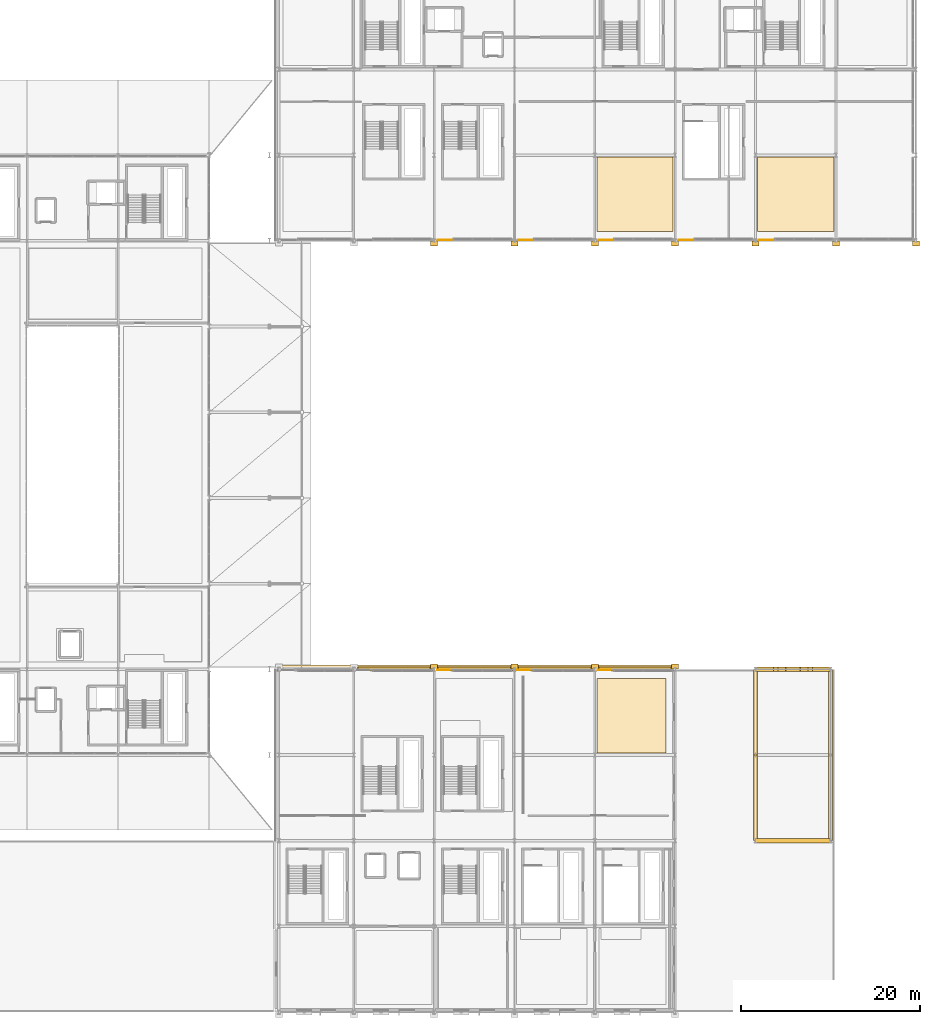
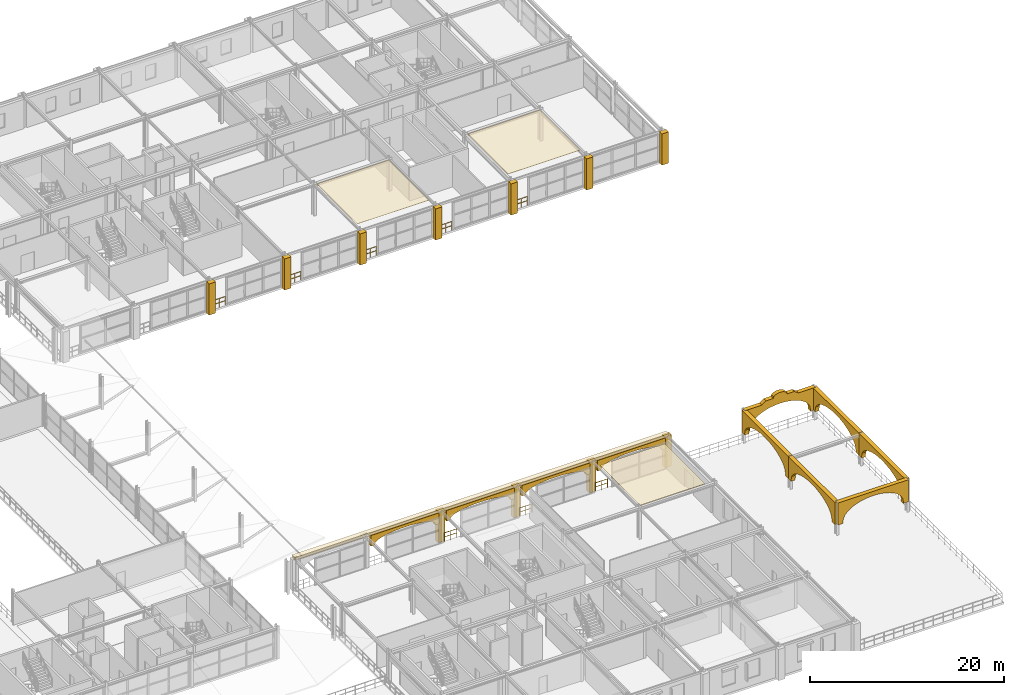
# One storey, part 78 of 81: 25 coverings, 8 railings.
"""IFC4 building model written with IfcOpenShell, lengths in metres."""

from ifc_helpers import new_model, si_unit, direction, frame, origin, origin_2d, place, context, subcontext, project, spatial, polyline, rectangle, outline, extrude, material, layer, layer_set, type_object, element, save


model = new_model("IFC4")

# Units and contexts
model_context = context("Model", 3, precision=1e-05, world=origin(), true_north=direction((0.0, 1.0)))
body_context = subcontext(model_context, "Body", "Model", "MODEL_VIEW")
ifc_project = project(units=[si_unit("LENGTHUNIT", "METRE"), si_unit("AREAUNIT", "SQUARE_METRE"), si_unit("VOLUMEUNIT", "CUBIC_METRE"), si_unit("PLANEANGLEUNIT", "RADIAN"), si_unit("MASSUNIT", "GRAM", prefix="KILO")], contexts=[model_context])

# Site, building, storey
site_placement = place(None, origin())
site = spatial("IfcSite", under=ifc_project, at=site_placement, CompositionType="ELEMENT")
building_placement = place(site_placement, origin())
building = spatial("IfcBuilding", under=site, at=building_placement, Name="Myrtia Square Station", CompositionType="ELEMENT")
storey_placement = place(building_placement, frame((0.0, 0.0, 10.800048828125)))
storey = spatial("IfcBuildingStorey", under=building, at=storey_placement, Name="L02", CompositionType="ELEMENT", Elevation=10.800048828125)

# Coverings
ifc_material_1 = material(Name="Pentelic marble ashlar", Category="masonry")
ifc_layer_1 = layer(ifc_material_1, 0.4599609375, Name="Pentelic marble ashlar")
ifc_layer_set_1 = layer_set([ifc_layer_1], Name="Pentelic marble ashlar")
covering_type_1 = type_object("IfcCoveringType", Name="COV-ARCH-ASHLAR", PredefinedType="CLADDING", material=ifc_layer_set_1)
covering_1_placement = place(storey_placement, frame((171.0, 19.199951171875, 1.300048828125), z_axis=(0.0, 0.0, 1.0), x_axis=(0.0, 1.0, 0.0)))
element("IfcCovering", 1, at=covering_1_placement, inside=storey, type_object=covering_type_1, Name="Belvedere west loggia arch 042", PredefinedType="CLADDING", context=body_context, shape_type="SweptSolid", body=[
    extrude(outline(polyline([(0.0, 0.0), (0.60009765625, 0.0), (0.60009765625, 0.25), (0.6806640625, 0.64013671875), (0.919677734375, 1.015380859375), (1.307861328125, 1.361083984375), (1.830078125, 1.6640625), (2.466552734375, 1.912841796875), (3.19287109375, 2.09765625), (3.980712890625, 2.21142578125), (4.800048828125, 2.25), (5.619384765625, 2.21142578125), (6.4072265625, 2.09765625), (7.133544921875, 1.912841796875), (7.77001953125, 1.6640625), (8.292236328125, 1.361083984375), (8.680419921875, 1.015380859375), (8.91943359375, 0.64013671875), (9.0, 0.25), (9.0, 0.0), (9.60009765625, 0.0), (9.60009765625, 2.77978515625), (0.0, 2.77978515625), (0.0, 0.0)])), frame((0.0, 0.239990234375, 0.0), z_axis=(0.0, -1.0, 0.0), x_axis=(1.0, 0.0, 0.0)), (0.0, 0.0, 1.0), 0.47998046875),
])
covering_2_placement = place(storey_placement, frame((171.0, 28.800048828125, 1.300048828125), z_axis=(0.0, 0.0, 1.0), x_axis=(0.0, 1.0, 0.0)))
element("IfcCovering", 2, at=covering_2_placement, inside=storey, type_object=covering_type_1, Name="Belvedere west loggia arch 043", PredefinedType="CLADDING", context=body_context, shape_type="SweptSolid", body=[
    extrude(outline(polyline([(0.0, 0.0), (0.60009765625, 0.0), (0.60009765625, 0.25), (0.6806640625, 0.64013671875), (0.919677734375, 1.015380859375), (1.307861328125, 1.361083984375), (1.830078125, 1.6640625), (2.466552734375, 1.912841796875), (3.192626953125, 2.09765625), (3.98046875, 2.21142578125), (4.7998046875, 2.25), (5.619384765625, 2.21142578125), (6.4072265625, 2.09765625), (7.13330078125, 1.912841796875), (7.769775390625, 1.6640625), (8.2919921875, 1.361083984375), (8.68017578125, 1.015380859375), (8.919189453125, 0.64013671875), (8.999755859375, 0.25), (8.999755859375, 0.0), (9.599853515625, 0.0), (9.599853515625, 2.77978515625), (0.0, 2.77978515625), (0.0, 0.0)])), frame((0.0, 0.239990234375, 0.0), z_axis=(0.0, -1.0, 0.0), x_axis=(1.0, 0.0, 0.0)), (0.0, 0.0, 1.0), 0.47998046875),
])
covering_3_placement = place(storey_placement, frame((179.39990234375, 19.199951171875, 1.300048828125), z_axis=(0.0, 0.0, 1.0), x_axis=(0.0, 1.0, 0.0)))
element("IfcCovering", 3, at=covering_3_placement, inside=storey, type_object=covering_type_1, Name="Belvedere east loggia arch 044", PredefinedType="CLADDING", context=body_context, shape_type="SweptSolid", body=[
    extrude(outline(polyline([(0.0, 0.0), (0.60009765625, 0.0), (0.60009765625, 0.25), (0.6806640625, 0.64013671875), (0.919677734375, 1.015380859375), (1.307861328125, 1.361083984375), (1.830078125, 1.6640625), (2.466552734375, 1.912841796875), (3.19287109375, 2.09765625), (3.980712890625, 2.21142578125), (4.800048828125, 2.25), (5.619384765625, 2.21142578125), (6.4072265625, 2.09765625), (7.133544921875, 1.912841796875), (7.77001953125, 1.6640625), (8.292236328125, 1.361083984375), (8.680419921875, 1.015380859375), (8.91943359375, 0.64013671875), (9.0, 0.25), (9.0, 0.0), (9.60009765625, 0.0), (9.60009765625, 2.77978515625), (0.0, 2.77978515625), (0.0, 0.0)])), frame((0.0, 0.239990234375, 0.0), z_axis=(0.0, -1.0, 0.0), x_axis=(1.0, 0.0, 0.0)), (0.0, 0.0, 1.0), 0.47998046875),
])
covering_4_placement = place(storey_placement, frame((179.39990234375, 28.800048828125, 1.300048828125), z_axis=(0.0, 0.0, 1.0), x_axis=(0.0, 1.0, 0.0)))
element("IfcCovering", 4, at=covering_4_placement, inside=storey, type_object=covering_type_1, Name="Belvedere east loggia arch 045", PredefinedType="CLADDING", context=body_context, shape_type="SweptSolid", body=[
    extrude(outline(polyline([(0.0, 0.0), (0.60009765625, 0.0), (0.60009765625, 0.25), (0.6806640625, 0.64013671875), (0.919677734375, 1.015380859375), (1.307861328125, 1.361083984375), (1.830078125, 1.6640625), (2.466552734375, 1.912841796875), (3.192626953125, 2.09765625), (3.98046875, 2.21142578125), (4.7998046875, 2.25), (5.619384765625, 2.21142578125), (6.4072265625, 2.09765625), (7.13330078125, 1.912841796875), (7.769775390625, 1.6640625), (8.2919921875, 1.361083984375), (8.68017578125, 1.015380859375), (8.919189453125, 0.64013671875), (8.999755859375, 0.25), (8.999755859375, 0.0), (9.599853515625, 0.0), (9.599853515625, 2.77978515625), (0.0, 2.77978515625), (0.0, 0.0)])), frame((0.0, 0.239990234375, 0.0), z_axis=(0.0, -1.0, 0.0), x_axis=(1.0, 0.0, 0.0)), (0.0, 0.0, 1.0), 0.47998046875),
])
covering_5_placement = place(storey_placement, frame((171.0, 38.39990234375, 1.300048828125), z_axis=(0.0, 0.0, 1.0), x_axis=(1.0, 0.0, 0.0)))
element("IfcCovering", 5, at=covering_5_placement, inside=storey, type_object=covering_type_1, Name="Belvedere square front arch 046", PredefinedType="CLADDING", context=body_context, shape_type="SweptSolid", body=[
    extrude(outline(polyline([(0.0, 0.0), (0.60009765625, 0.0), (0.60009765625, 0.25), (0.669189453125, 0.64013671875), (0.8740234375, 1.015380859375), (1.206787109375, 1.361083984375), (1.654296875, 1.6640625), (2.199951171875, 1.912841796875), (2.822265625, 2.09765625), (3.49755859375, 2.21142578125), (4.199951171875, 2.25), (4.90234375, 2.21142578125), (5.57763671875, 2.09765625), (6.199951171875, 1.912841796875), (6.74560546875, 1.6640625), (7.193115234375, 1.361083984375), (7.52587890625, 1.015380859375), (7.730712890625, 0.64013671875), (7.7998046875, 0.25), (7.7998046875, 0.0), (8.39990234375, 0.0), (8.39990234375, 2.77978515625), (6.384033203125, 2.77978515625), (5.8798828125, 3.13671875), (5.0400390625, 3.13671875), (4.97607421875, 3.325439453125), (4.7939453125, 3.4853515625), (4.521484375, 3.59228515625), (4.199951171875, 3.6298828125), (3.87841796875, 3.59228515625), (3.60595703125, 3.4853515625), (3.423828125, 3.325439453125), (3.35986328125, 3.13671875), (2.52001953125, 3.13671875), (2.015869140625, 2.77978515625), (0.0, 2.77978515625), (0.0, 0.0)])), frame((0.0, 0.239990234375, 0.0), z_axis=(0.0, -1.0, 0.0), x_axis=(1.0, 0.0, 0.0)), (0.0, 0.0, 1.0), 0.47998046875),
])
covering_6_placement = place(storey_placement, frame((171.0, 19.199951171875, 1.300048828125), z_axis=(0.0, 0.0, 1.0), x_axis=(1.0, 0.0, 0.0)))
element("IfcCovering", 6, at=covering_6_placement, inside=storey, type_object=covering_type_1, Name="Belvedere garden front arch 047", PredefinedType="CLADDING", context=body_context, shape_type="SweptSolid", body=[
    extrude(outline(polyline([(0.0, 0.0), (0.60009765625, 0.0), (0.60009765625, 0.25), (0.669189453125, 0.64013671875), (0.8740234375, 1.015380859375), (1.206787109375, 1.361083984375), (1.654296875, 1.6640625), (2.199951171875, 1.912841796875), (2.822265625, 2.09765625), (3.49755859375, 2.21142578125), (4.199951171875, 2.25), (4.90234375, 2.21142578125), (5.57763671875, 2.09765625), (6.199951171875, 1.912841796875), (6.74560546875, 1.6640625), (7.193115234375, 1.361083984375), (7.52587890625, 1.015380859375), (7.730712890625, 0.64013671875), (7.7998046875, 0.25), (7.7998046875, 0.0), (8.39990234375, 0.0), (8.39990234375, 2.77978515625), (0.0, 2.77978515625), (0.0, 0.0)])), frame((0.0, 0.239990234375, 0.0), z_axis=(0.0, -1.0, 0.0), x_axis=(1.0, 0.0, 0.0)), (0.0, 0.0, 1.0), 0.47998046875),
])
for number, where, z_axis, x_axis, name in (
    (7, (135.0, 38.719970703125, -0.0400390625), (0.0, 0.0, 1.0), (1.0, 0.0, 0.0), "Classical Pentelic ashlar pilaster 021"),
    (8, (144.0, 38.719970703125, -0.0400390625), (0.0, 0.0, 1.0), (1.0, 0.0, 0.0), "Classical Pentelic ashlar pilaster 029"),
    (9, (153.0, 38.719970703125, -0.0400390625), (0.0, 0.0, 1.0), (1.0, 0.0, 0.0), "Classical Pentelic ashlar pilaster 037"),
    (10, (162.0, 38.719970703125, -0.0400390625), (0.0, 0.0, 1.0), (1.0, 0.0, 0.0), "Classical Pentelic ashlar pilaster 043"),
):
    element("IfcCovering", number, at=place(storey_placement, frame(where, z_axis=z_axis, x_axis=x_axis)), inside=storey, type_object=covering_type_1, Name=name, PredefinedType="CLADDING", context=body_context, shape_type="SweptSolid", body=[
        extrude(rectangle(XDim=0.780029296875, YDim=0.56005859375, at=origin_2d()), origin(), (0.0, 0.0, 1.0), 3.93994140625),
    ])
for number, where, z_axis, x_axis, name in (
    (11, (126.449951171875, 38.449951171875, 2.550048828125), (0.0, 0.0, 1.0), (1.0, 0.0, 0.0), "V4 upper square loggia arch 074"),
    (12, (135.449951171875, 38.449951171875, 2.550048828125), (0.0, 0.0, 1.0), (1.0, 0.0, 0.0), "V4 upper square loggia arch 075"),
    (13, (144.449951171875, 38.449951171875, 2.550048828125), (0.0, 0.0, 1.0), (1.0, 0.0, 0.0), "V4 upper square loggia arch 076"),
    (14, (153.449951171875, 38.449951171875, 2.550048828125), (0.0, 0.0, 1.0), (1.0, 0.0, 0.0), "V4 upper square loggia arch 077"),
):
    element("IfcCovering", number, at=place(storey_placement, frame(where, z_axis=z_axis, x_axis=x_axis)), inside=storey, type_object=covering_type_1, Name=name, PredefinedType="CLADDING", context=body_context, shape_type="SweptSolid", body=[
        extrude(outline(polyline([(0.0, 0.0), (0.449951171875, 0.0), (0.449951171875, 0.14990234375), (0.519287109375, 0.315673828125), (0.72412109375, 0.47509765625), (1.056640625, 0.6220703125), (1.50439453125, 0.7509765625), (2.050048828125, 0.856689453125), (2.67236328125, 0.935302734375), (3.34765625, 0.983642578125), (4.050048828125, 1.0), (4.75244140625, 0.983642578125), (5.427734375, 0.935302734375), (6.050048828125, 0.856689453125), (6.595703125, 0.7509765625), (7.04345703125, 0.6220703125), (7.3759765625, 0.47509765625), (7.580810546875, 0.315673828125), (7.650146484375, 0.14990234375), (7.650146484375, 0.0), (8.10009765625, 0.0), (8.10009765625, 1.349853515625), (0.0, 1.349853515625), (0.0, 0.0)])), frame((0.0, 0.219970703125, 0.0), z_axis=(0.0, -1.0, 0.0), x_axis=(1.0, 0.0, 0.0)), (0.0, 0.0, 1.0), 0.43994140625),
    ])
for number, where, z_axis, x_axis, name in (
    (15, (135.0, 86.080078125, -0.0400390625), (0.0, 0.0, 1.0), (1.0, 0.0, 0.0), "Classical Pentelic ashlar pilaster 070"),
    (16, (144.0, 86.080078125, -0.0400390625), (0.0, 0.0, 1.0), (1.0, 0.0, 0.0), "Classical Pentelic ashlar pilaster 079"),
    (17, (153.0, 86.080078125, -0.0400390625), (0.0, 0.0, 1.0), (1.0, 0.0, 0.0), "Classical Pentelic ashlar pilaster 088"),
    (18, (162.0, 86.080078125, -0.0400390625), (0.0, 0.0, 1.0), (1.0, 0.0, 0.0), "Classical Pentelic ashlar pilaster 097"),
    (19, (171.0, 86.080078125, -0.0400390625), (0.0, 0.0, 1.0), (1.0, 0.0, 0.0), "Classical Pentelic ashlar pilaster 107"),
    (20, (180.0, 86.080078125, -0.0400390625), (0.0, 0.0, 1.0), (1.0, 0.0, 0.0), "Classical Pentelic ashlar pilaster 117"),
    (21, (189.0, 86.080078125, -0.0400390625), (0.0, 0.0, 1.0), (1.0, 0.0, 0.0), "Classical Pentelic ashlar pilaster 126"),
):
    element("IfcCovering", number, at=place(storey_placement, frame(where, z_axis=z_axis, x_axis=x_axis)), inside=storey, type_object=covering_type_1, Name=name, PredefinedType="CLADDING", context=body_context, shape_type="SweptSolid", body=[
        extrude(rectangle(XDim=0.780029296875, YDim=0.56005859375, at=origin_2d()), origin(), (0.0, 0.0, 1.0), 3.93994140625),
    ])
ifc_material_2 = material(Name="Gypsum plasterboard")
ifc_layer_2 = layer(ifc_material_2, 0.034912109375, Name="Gypsum plasterboard")
ifc_layer_set_2 = layer_set([ifc_layer_2], Name="Gypsum plasterboard")
covering_type_2 = type_object("IfcCoveringType", Name="COV-CEIL-ACOUSTIC", PredefinedType="CEILING", material=ifc_layer_set_2)
covering_7_placement = place(storey_placement, frame((0.0, 0.0, 3.925048828125)))
element("IfcCovering", 22, at=covering_7_placement, inside=storey, type_object=covering_type_2, Name="Acoustic coffer ceiling L02-12", PredefinedType="CEILING", context=body_context, shape_type="SweptSolid", body=[
    extrude(outline(polyline([(153.219970703125, 87.449951171875), (153.219970703125, 95.780029296875), (161.780029296875, 95.780029296875), (161.780029296875, 87.449951171875), (153.219970703125, 87.449951171875)])), origin(), (0.0, 0.0, 1.0), 0.034912109375),
])
ifc_material_3 = material(Name="Acoustic European oak timber", Category="wood")
ifc_layer_3 = layer(ifc_material_3, 0.044921875, Name="Acoustic European oak timber")
ifc_layer_set_3 = layer_set([ifc_layer_3], Name="Acoustic European oak timber")
covering_type_3 = type_object("IfcCoveringType", Name="COV-CEIL-OAK", PredefinedType="CEILING", material=ifc_layer_set_3)
covering_8_placement = place(storey_placement, frame((0.0, 0.0, 3.889892578125)))
element("IfcCovering", 23, at=covering_8_placement, inside=storey, type_object=covering_type_3, Name="Acoustic coffer ceiling L02-07", PredefinedType="CEILING", context=body_context, shape_type="SweptSolid", body=[
    extrude(outline(polyline([(160.949951171875, 37.35009765625), (160.949951171875, 29.02001953125), (153.219970703125, 29.02001953125), (153.219970703125, 37.35009765625), (160.949951171875, 37.35009765625)])), origin(), (0.0, 0.0, 1.0), 0.045166015625),
])
covering_9_placement = place(storey_placement, frame((0.0, 0.0, 3.9150390625)))
element("IfcCovering", 24, at=covering_9_placement, inside=storey, type_object=covering_type_3, Name="Acoustic coffer ceiling L02-13", PredefinedType="CEILING", context=body_context, shape_type="SweptSolid", body=[
    extrude(outline(polyline([(171.219970703125, 87.449951171875), (171.219970703125, 95.780029296875), (179.780029296875, 95.780029296875), (179.780029296875, 87.449951171875), (171.219970703125, 87.449951171875)])), origin(), (0.0, 0.0, 1.0), 0.044921875),
])
ifc_layer_4 = layer(ifc_material_1, 0.47998046875, Name="Pentelic marble ashlar")
ifc_layer_set_4 = layer_set([ifc_layer_4], Name="Pentelic marble ashlar")
covering_type_4 = type_object("IfcCoveringType", Name="COV-CORNICE-ASHLAR", PredefinedType="MOLDING", material=ifc_layer_set_4)
covering_10_placement = place(storey_placement, frame((139.699951171875, 38.570068359375, 3.89990234375), z_axis=(0.0, 0.0, 1.0), x_axis=(1.0, 0.0, 0.0)))
element("IfcCovering", 25, at=covering_10_placement, inside=storey, type_object=covering_type_4, Name="Classical entablature cornice moulding 005", PredefinedType="MOLDING", context=body_context, shape_type="SweptSolid", body=[
    extrude(rectangle(XDim=44.60009765625, YDim=0.580078125, at=origin_2d()), origin(), (0.0, 0.0, 1.0), 0.360107421875),
])

# Railings
ifc_material_4 = material(Name="Wrought iron", Category="steel")
railing_type = type_object("IfcRailingType", Name="RL-INT-GUARD-1100", PredefinedType="BALUSTRADE", material=ifc_material_4)
for number, where, name in (
    (26, (154.699951171875, 38.320068359375, 0.0), "Perimeter slab edge balustrade L02-043"),
    (27, (145.699951171875, 38.320068359375, 0.0), "Perimeter slab edge balustrade L02-044"),
    (28, (136.699951171875, 38.320068359375, 0.0), "Perimeter slab edge balustrade L02-045"),
):
    element("IfcRailing", number, at=place(storey_placement, frame(where)), inside=storey, type_object=railing_type, Name=name, PredefinedType="BALUSTRADE", context=body_context, shape_type="SweptSolid", body=[
        extrude(rectangle(XDim=0.048095703125, YDim=0.048095703125, at=origin_2d()), frame((-0.03466796875, 0.0, 1.09619140625), z_axis=(-1.0, 0.0, 0.0), x_axis=(0.0, -1.0, 0.0)), (0.0, 0.0, 1.0), 0.6806640625),
        extrude(rectangle(XDim=0.048095703125, YDim=0.048095703125, at=origin_2d()), frame((-0.03466796875, 0.0, 0.58251953125), z_axis=(-1.0, 0.0, 0.0), x_axis=(0.0, -1.0, 0.0)), (0.0, 0.0, 1.0), 0.6806640625),
        extrude(rectangle(XDim=0.048095703125, YDim=0.048095703125, at=origin_2d()), frame((-0.78466796875, 0.0, 1.09619140625), z_axis=(-1.0, 0.0, 0.0), x_axis=(0.0, -1.0, 0.0)), (0.0, 0.0, 1.0), 0.6806640625),
        extrude(rectangle(XDim=0.048095703125, YDim=0.048095703125, at=origin_2d()), frame((-0.78466796875, 0.0, 0.58251953125), z_axis=(-1.0, 0.0, 0.0), x_axis=(0.0, -1.0, 0.0)), (0.0, 0.0, 1.0), 0.6806640625),
        extrude(rectangle(XDim=0.0439453125, YDim=0.0439453125, at=origin_2d()), origin(), (0.0, 0.0, 1.0), 1.1201171875),
        extrude(rectangle(XDim=0.0439453125, YDim=0.0439453125, at=origin_2d()), frame((-0.75, 0.0, 0.0)), (0.0, 0.0, 1.0), 1.1201171875),
        extrude(rectangle(XDim=0.0439453125, YDim=0.0439453125, at=origin_2d()), frame((-1.5, 0.0, 0.0)), (0.0, 0.0, 1.0), 1.1201171875),
    ])
for number, where, name in (
    (29, (135.449951171875, 86.47998046875, 0.0), "Perimeter slab edge balustrade L02-052"),
    (30, (144.449951171875, 86.47998046875, 0.0), "Perimeter slab edge balustrade L02-053"),
    (31, (153.449951171875, 86.47998046875, 0.0), "Perimeter slab edge balustrade L02-054"),
    (32, (162.449951171875, 86.47998046875, 0.0), "Perimeter slab edge balustrade L02-055"),
    (33, (171.449951171875, 86.47998046875, 0.0), "Perimeter slab edge balustrade L02-056"),
):
    element("IfcRailing", number, at=place(storey_placement, frame(where)), inside=storey, type_object=railing_type, Name=name, PredefinedType="BALUSTRADE", context=body_context, shape_type="SweptSolid", body=[
        extrude(rectangle(XDim=0.048095703125, YDim=0.048095703125, at=origin_2d()), frame((0.03466796875, 0.0, 1.09619140625), z_axis=(1.0, 0.0, 0.0), x_axis=(0.0, 1.0, 0.0)), (0.0, 0.0, 1.0), 0.6806640625),
        extrude(rectangle(XDim=0.048095703125, YDim=0.048095703125, at=origin_2d()), frame((0.03466796875, 0.0, 0.58251953125), z_axis=(1.0, 0.0, 0.0), x_axis=(0.0, 1.0, 0.0)), (0.0, 0.0, 1.0), 0.6806640625),
        extrude(rectangle(XDim=0.048095703125, YDim=0.048095703125, at=origin_2d()), frame((0.78466796875, 0.0, 1.09619140625), z_axis=(1.0, 0.0, 0.0), x_axis=(0.0, 1.0, 0.0)), (0.0, 0.0, 1.0), 0.6806640625),
        extrude(rectangle(XDim=0.048095703125, YDim=0.048095703125, at=origin_2d()), frame((0.78466796875, 0.0, 0.58251953125), z_axis=(1.0, 0.0, 0.0), x_axis=(0.0, 1.0, 0.0)), (0.0, 0.0, 1.0), 0.6806640625),
        extrude(rectangle(XDim=0.0439453125, YDim=0.0439453125, at=origin_2d()), origin(), (0.0, 0.0, 1.0), 1.1201171875),
        extrude(rectangle(XDim=0.0439453125, YDim=0.0439453125, at=origin_2d()), frame((0.75, 0.0, 0.0)), (0.0, 0.0, 1.0), 1.1201171875),
        extrude(rectangle(XDim=0.0439453125, YDim=0.0439453125, at=origin_2d()), frame((1.5, 0.0, 0.0)), (0.0, 0.0, 1.0), 1.1201171875),
    ])

save(model, "model.ifc")
